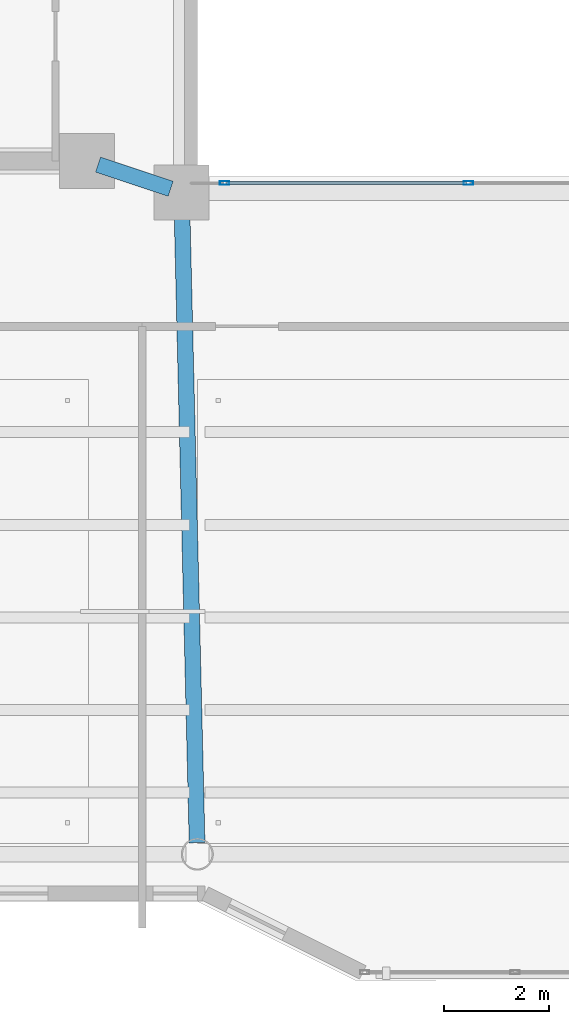
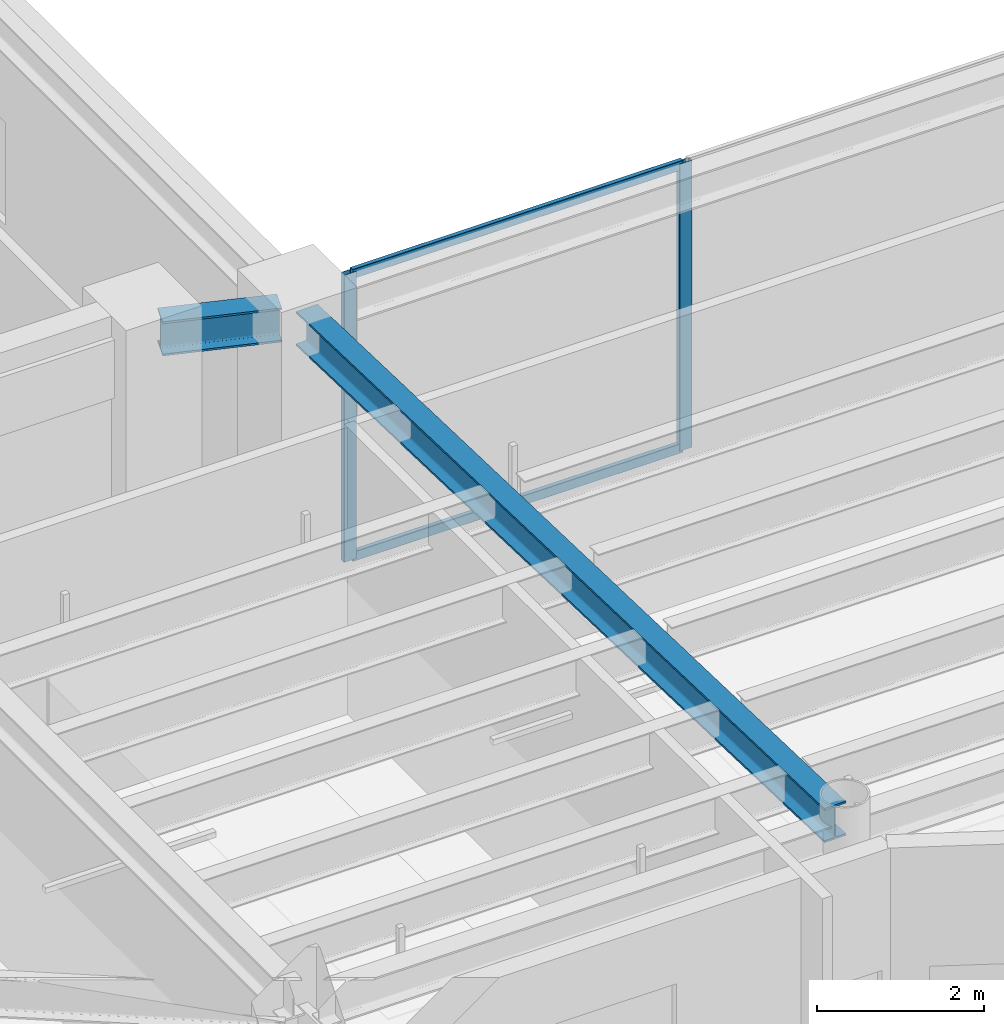
# One storey, part 6 of 33: 4 members, 2 beams, 1 element without a shape of its own.
"""IFC4 building model written with IfcOpenShell, lengths in metres."""

from ifc_helpers import new_model, si_unit, direction, frame, origin, origin_2d, place, context, subcontext, project, spatial, hollow_rectangle, i_section, extrude, material, layer, layer_set, material_profile, profile_set, type_object, element, aggregate, save


model = new_model("IFC4")

# Units and contexts
model_context = context("Model", 3, precision=1e-05, world=origin(), true_north=direction((0.0, 1.0)))
body_context = subcontext(model_context, "Body", "Model", "MODEL_VIEW")
ifc_project = project(units=[si_unit("LENGTHUNIT", "METRE"), si_unit("AREAUNIT", "SQUARE_METRE"), si_unit("VOLUMEUNIT", "CUBIC_METRE"), si_unit("PLANEANGLEUNIT", "RADIAN"), si_unit("MASSUNIT", "GRAM", prefix="KILO")], contexts=[model_context])

# Site, building, storey
site_placement = place(None, origin())
site = spatial("IfcSite", under=ifc_project, at=site_placement, CompositionType="ELEMENT")
building_placement = place(site_placement, origin())
building = spatial("IfcBuilding", under=site, at=building_placement, Name="Tarnavaz Court Tower", CompositionType="ELEMENT")
storey_placement = place(building_placement, frame((0.0, 0.0, 172.800048828125)))
storey = spatial("IfcBuildingStorey", under=building, at=storey_placement, Name="L47", CompositionType="ELEMENT", Elevation=172.800048828125)

# Beams
ifc_material_1 = material(Name="Steel S355", Category="steel")
ifc_material_profile_1 = material_profile(ifc_material_1, i_section(OverallWidth=0.300048828125, OverallDepth=0.5, WebThickness=0.014404296875, FlangeThickness=0.028076171875, FilletRadius=0.027099609375, at=origin_2d()), Name="HEB 500")
ifc_profile_set_1 = profile_set([ifc_material_profile_1], Name="Steel S355")
beam_type = type_object("IfcBeamType", Name="BM-G-HEB500", PredefinedType="USERDEFINED", material=ifc_profile_set_1)
beam_1_placement = place(storey_placement, frame((-9.391357421875, -7.26953125, 3.949951171875), z_axis=(0.948666544706, -0.316278021615, 0.0), x_axis=(0.316278021615, 0.948666544706, 0.0)))
element("IfcBeam", 1, at=beam_1_placement, inside=storey, type_object=beam_type, Name="L47 Beam IN-CW-SI-IW-SW", ObjectType="GIRDER", PredefinedType="USERDEFINED", context=body_context, shape_type="SweptSolid", body=[
    extrude(i_section(OverallWidth=0.300048828125, OverallDepth=0.5, WebThickness=0.014404296875, FlangeThickness=0.028076171875, FilletRadius=0.027099609375, at=origin_2d()), origin(), (0.0, 0.0, 1.0), 1.457275390625),
])
beam_2_placement = place(storey_placement, frame((-7.794921875, -8.02001953125, 3.949951171875), z_axis=(0.023824748444, -0.999716150395, 0.0), x_axis=(0.999716150395, 0.023824748444, 0.0)))
element("IfcBeam", 2, at=beam_2_placement, inside=storey, type_object=beam_type, Name="L47 Beam RG-06", ObjectType="GIRDER", PredefinedType="USERDEFINED", context=body_context, shape_type="SweptSolid", body=[
    extrude(i_section(OverallWidth=0.300048828125, OverallDepth=0.5, WebThickness=0.014404296875, FlangeThickness=0.028076171875, FilletRadius=0.027099609375, at=origin_2d()), origin(), (0.0, 0.0, 1.0), 12.16357421875),
])

# Curtain wall, members
ifc_material_2 = material(Name="Anodised Aluminium 6063-T6 and Solar Low-E Glazing", Category="aluminium")
ifc_layer = layer(ifc_material_2, 0.139892578125)
ifc_layer_set = layer_set([ifc_layer], Name="Anodised Aluminium 6063-T6 and Solar Low-E Glazing")
curtain_wall_type = type_object("IfcCurtainWallType", Name="CW-SYS-04", PredefinedType="NOTDEFINED", material=ifc_layer_set)
curtain_wall_placement = place(storey_placement, origin())
curtain_wall = element("IfcCurtainWall", 3, at=curtain_wall_placement, inside=storey, type_object=curtain_wall_type, Name="L47 Badgir Courtyard Curtain Wall S", PredefinedType="NOTDEFINED")
ifc_material_3 = material(Name="Anodised Aluminium 6063-T6", Category="aluminium")
ifc_material_profile_2 = material_profile(ifc_material_3, hollow_rectangle(XDim=0.074951171875, YDim=0.179931640625, WallThickness=0.0048828125, InnerFilletRadius=0.0048828125, OuterFilletRadius=0.010009765625, at=origin_2d()), Name="ALU RHS 180X75X5")
ifc_profile_set_2 = profile_set([ifc_material_profile_2], Name="Anodised Aluminium 6063-T6")
member_type_1 = type_object("IfcMemberType", Name="CW-MUL-180", PredefinedType="MULLION", material=ifc_profile_set_2)
member_1_placement = place(storey_placement, frame((-6.982421875, -7.6201171875, 0.0), z_axis=(0.0, 0.0, 1.0), x_axis=(0.0, 1.0, 0.0)))
member_1 = element("IfcMember", 4, at=member_1_placement, type_object=member_type_1, Name="CW mullion 1", PredefinedType="MULLION", context=body_context, shape_type="SweptSolid", body=[
    extrude(hollow_rectangle(XDim=0.074951171875, YDim=0.179931640625, WallThickness=0.0048828125, InnerFilletRadius=0.0048828125, OuterFilletRadius=0.010009765625, at=origin_2d()), origin(), (0.0, 0.0, 1.0), 4.199951171875),
])
member_2_placement = place(storey_placement, frame((-2.340087890625, -7.6201171875, 0.0), z_axis=(0.0, 0.0, 1.0), x_axis=(0.0, 1.0, 0.0)))
member_2 = element("IfcMember", 5, at=member_2_placement, type_object=member_type_1, Name="CW mullion 2", PredefinedType="MULLION", context=body_context, shape_type="SweptSolid", body=[
    extrude(hollow_rectangle(XDim=0.074951171875, YDim=0.179931640625, WallThickness=0.0048828125, InnerFilletRadius=0.0048828125, OuterFilletRadius=0.010009765625, at=origin_2d()), origin(), (0.0, 0.0, 1.0), 4.199951171875),
])
ifc_material_profile_3 = material_profile(ifc_material_3, hollow_rectangle(XDim=0.06494140625, YDim=0.139892578125, WallThickness=0.00390625, InnerFilletRadius=0.00390625, OuterFilletRadius=0.008056640625, at=origin_2d()), Name="ALU RHS 140X65X4")
ifc_profile_set_3 = profile_set([ifc_material_profile_3], Name="Anodised Aluminium 6063-T6")
member_type_2 = type_object("IfcMemberType", Name="CW-TRN-140", PredefinedType="USERDEFINED", material=ifc_profile_set_3)
member_3_placement = place(storey_placement, frame((-6.945068359375, -7.6201171875, 0.032470703125), z_axis=(1.0, 0.0, 0.0), x_axis=(0.0, 1.0, 0.0)))
member_3 = element("IfcMember", 6, at=member_3_placement, type_object=member_type_2, Name="CW transom 1.1", ObjectType="TRANSOM", PredefinedType="USERDEFINED", context=body_context, shape_type="SweptSolid", body=[
    extrude(hollow_rectangle(XDim=0.06494140625, YDim=0.139892578125, WallThickness=0.00390625, InnerFilletRadius=0.00390625, OuterFilletRadius=0.008056640625, at=origin_2d()), origin(), (0.0, 0.0, 1.0), 4.567626953125),
])
member_4_placement = place(storey_placement, frame((-6.945068359375, -7.6201171875, 4.16748046875), z_axis=(1.0, 0.0, 0.0), x_axis=(0.0, 1.0, 0.0)))
member_4 = element("IfcMember", 7, at=member_4_placement, type_object=member_type_2, Name="CW transom 1.2", ObjectType="TRANSOM", PredefinedType="USERDEFINED", context=body_context, shape_type="SweptSolid", body=[
    extrude(hollow_rectangle(XDim=0.06494140625, YDim=0.139892578125, WallThickness=0.00390625, InnerFilletRadius=0.00390625, OuterFilletRadius=0.008056640625, at=origin_2d()), origin(), (0.0, 0.0, 1.0), 4.567626953125),
])
aggregate(curtain_wall, [member_1, member_2, member_3, member_4])

save(model, "model.ifc")
